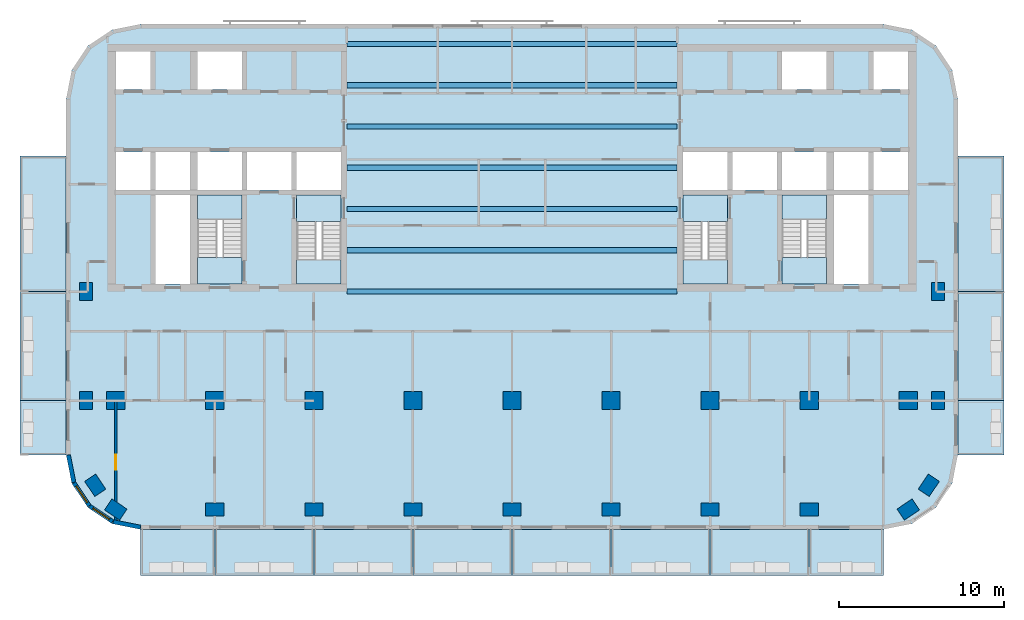
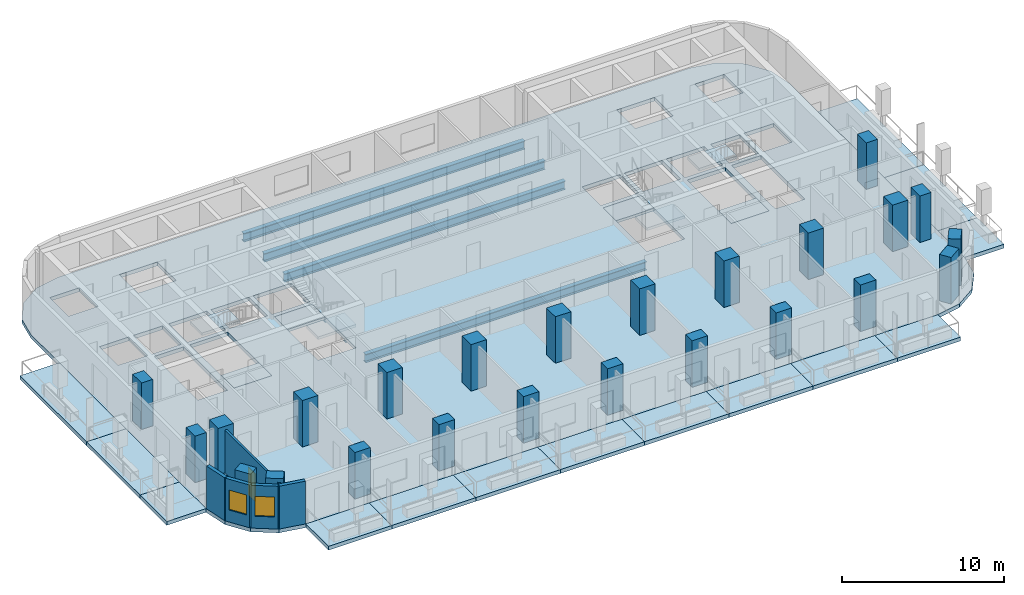
# One storey, part 1 of 11: 24 columns, 23 slabs, 7 beams, 5 walls, 2 windows, 1 door, 3 openings, 4 elements without a shape of their own.
"""IFC4 building model written with IfcOpenShell, lengths in metres."""

import ifcopenshell
import ifcopenshell.guid

model = None  # the IFC model being written
_history = None  # IfcOwnerHistory: only IFC2X3 demands one
_inside = {}  # id of a spatial element -> (the spatial element, [elements in it])
_under = {}  # id of a project, library or spatial element -> (it, [spatial elements below it])
_declared = {}  # id of a project -> (the project, [libraries it declares])
_typed = {}  # id of a type object -> (the type object, [elements of that type])
_made_of = {}  # id of a material, layer set ... -> (it, [elements and type objects made of it])


def new_model(schema):
    """Start an empty IFC model of exactly this schema.

    Asked for "IFC4X3", IfcOpenShell would pick the latest addendum, in which some entities
    have other attributes; the version numbers below select the first issue.
    IFC2X3 requires an IfcOwnerHistory on every rooted entity: one is made here for all.
    """
    global model, _history
    if schema == "IFC4X3":
        model = ifcopenshell.file(schema_version=(4, 3, 0, 0))
    else:
        model = ifcopenshell.file(schema=schema)
    _inside.clear()
    _under.clear()
    _declared.clear()
    _typed.clear()
    _made_of.clear()
    _history = None
    if model.schema == "IFC2X3":
        org = make("IfcOrganization", Name="unknown")
        user = make(
            "IfcPersonAndOrganization",
            ThePerson=make("IfcPerson", FamilyName="unknown"),
            TheOrganization=org,
        )
        app = make(
            "IfcApplication",
            ApplicationDeveloper=org,
            Version="unknown",
            ApplicationFullName="unknown",
            ApplicationIdentifier="unknown",
        )
        _history = make(
            "IfcOwnerHistory",
            OwningUser=user,
            OwningApplication=app,
            ChangeAction="ADDED",
            CreationDate=0,
        )
    return model


def make(cls, **values):
    """One entity of the class cls with the attributes given. An attribute that is None is left unset."""
    return model.create_entity(
        cls, **{name: value for name, value in values.items() if value is not None}
    )


def rooted(cls, **values):
    """An entity with a GlobalId (a new one), such as an element, a storey or a relation."""
    return make(cls, GlobalId=ifcopenshell.guid.new(), OwnerHistory=_history, **values)


def si_unit(unit_type, name, prefix=None):
    """IfcSIUnit, for example si_unit("LENGTHUNIT", "METRE", prefix="MILLI")."""
    return make("IfcSIUnit", UnitType=unit_type, Prefix=prefix, Name=name)


def assignment(units):
    """IfcUnitAssignment: the units of a project."""
    return None if units is None else make("IfcUnitAssignment", Units=units)


def point(xyz):
    """IfcCartesianPoint."""
    return None if xyz is None else make("IfcCartesianPoint", Coordinates=xyz)


def direction(xyz):
    """IfcDirection."""
    return None if xyz is None else make("IfcDirection", DirectionRatios=xyz)


def frame(location, z_axis=None, x_axis=None):
    """IfcAxis2Placement3D, a coordinate frame: its origin and axes. An axis left out is left unset."""
    return make(
        "IfcAxis2Placement3D",
        Location=point(location),
        Axis=direction(z_axis),
        RefDirection=direction(x_axis),
    )


def frame_2d(location, x_axis=None):
    """IfcAxis2Placement2D, a coordinate frame in the plane: its origin and x axis."""
    return make(
        "IfcAxis2Placement2D", Location=point(location), RefDirection=direction(x_axis)
    )


def origin():
    """The frame at (0, 0, 0) with its axes left unset."""
    return frame((0.0, 0.0, 0.0))


def origin_2d():
    """The frame at (0, 0) in the plane with its x axis left unset."""
    return frame_2d((0.0, 0.0))


def place(relative_to, where):
    """IfcLocalPlacement: puts the frame where relative to a parent placement (None: the world)."""
    return make(
        "IfcLocalPlacement", PlacementRelTo=relative_to, RelativePlacement=where
    )


def context(
    kind, dimensions, precision=None, world=None, true_north=None, identifier=None
):
    """IfcGeometricRepresentationContext, for example the 3D "Model" context."""
    return make(
        "IfcGeometricRepresentationContext",
        ContextIdentifier=identifier,
        ContextType=kind,
        CoordinateSpaceDimension=dimensions,
        Precision=precision,
        WorldCoordinateSystem=world,
        TrueNorth=true_north,
    )


def subcontext(parent, identifier, kind, view, scale=None):
    """IfcGeometricRepresentationSubContext, for example "Body" below "Model"."""
    return make(
        "IfcGeometricRepresentationSubContext",
        ContextIdentifier=identifier,
        ContextType=kind,
        ParentContext=parent,
        TargetScale=scale,
        TargetView=view,
    )


def project(units=None, contexts=None):
    """IfcProject with its units and contexts."""
    return rooted(
        "IfcProject",
        Name="project",
        RepresentationContexts=contexts,
        UnitsInContext=assignment(units),
    )


def spatial(cls, under=None, at=None, **own):
    """A site, building, storey or space (cls), placed at a placement, below another one or the project."""
    s = rooted(cls, ObjectPlacement=at, **own)
    if under is not None:
        _under.setdefault(under.id(), (under, []))[1].append(s)
    return s


def polyline(points):
    """IfcPolyline through the points."""
    return make("IfcPolyline", Points=[point(p) for p in points])


def profile(cls, at=None, kind="AREA", **sizes):
    """A parametric profile (cls). Its sizes go by their IFC names, for example OverallWidth=200.0."""
    return make(cls, ProfileType=kind, Position=at, **sizes)


def rectangle(**sizes):
    """IfcRectangleProfileDef."""
    return profile("IfcRectangleProfileDef", **sizes)


def i_section(**sizes):
    """IfcIShapeProfileDef."""
    return profile("IfcIShapeProfileDef", **sizes)


def outline(outer, holes=None, kind="AREA"):
    """IfcArbitraryClosedProfileDef: a profile drawn as a closed curve; with holes, ...WithVoids."""
    if holes is None:
        return make("IfcArbitraryClosedProfileDef", ProfileType=kind, OuterCurve=outer)
    return make(
        "IfcArbitraryProfileDefWithVoids",
        ProfileType=kind,
        OuterCurve=outer,
        InnerCurves=holes,
    )


def extrude(swept, where, along, depth):
    """IfcExtrudedAreaSolid: the profile swept, set in the frame where, extruded along a direction by depth."""
    return make(
        "IfcExtrudedAreaSolid",
        SweptArea=swept,
        Position=where,
        ExtrudedDirection=direction(along),
        Depth=depth,
    )


def shape(context_of_items, identifier, shape_type, items):
    """IfcShapeRepresentation: the items that make up one representation, for example the "Body"."""
    return make(
        "IfcShapeRepresentation",
        ContextOfItems=context_of_items,
        RepresentationIdentifier=identifier,
        RepresentationType=shape_type,
        Items=items,
    )


def material(Name=None, Category=None):
    """IfcMaterial."""
    return make("IfcMaterial", Name=Name, Category=Category)


def layer(
    of_material, thickness, ventilated=None, Name=None, Category=None, Priority=None
):
    """IfcMaterialLayer: one layer of a wall or slab, of a material (None: an air gap)."""
    return make(
        "IfcMaterialLayer",
        Material=of_material,
        LayerThickness=thickness,
        IsVentilated=ventilated,
        Name=Name,
        Category=Category,
        Priority=Priority,
    )


def layer_set(layers, Name=None):
    """IfcMaterialLayerSet."""
    return make("IfcMaterialLayerSet", MaterialLayers=layers, LayerSetName=Name)


def material_profile(
    of_material, cross_section, Name=None, Category=None, Priority=None
):
    """IfcMaterialProfile: a cross section and its material."""
    return make(
        "IfcMaterialProfile",
        Name=Name,
        Material=of_material,
        Profile=cross_section,
        Priority=Priority,
        Category=Category,
    )


def profile_set(profiles, Name=None, composite=None):
    """IfcMaterialProfileSet."""
    return make(
        "IfcMaterialProfileSet",
        Name=Name,
        MaterialProfiles=profiles,
        CompositeProfile=composite,
    )


def made_of(thing, what):
    """Note that an element or type object is made of a material, layer set ...; save() writes the relation."""
    if what is not None:
        _made_of.setdefault(what.id(), (what, []))[1].append(thing)
    return thing


def type_object(cls, material=None, **own):
    """A type object (cls), such as IfcWallType, which elements share."""
    return made_of(rooted(cls, **own), material)


def element(
    cls,
    number,
    at=None,
    inside=None,
    cuts=None,
    type_object=None,
    material=None,
    context=None,
    identifier="Body",
    shape_type=None,
    held_by="IfcProductDefinitionShape",
    body=None,
    shapes=None,
    **own,
):
    """One element of the class cls, such as IfcWall. Its Tag is "e" and its number.

    at: its placement. inside: the storey or other place that contains it. cuts: it is an
    opening in that element (IfcRelVoidsElement). A single representation is given by context,
    identifier, shape_type and body (its items); several are given by shapes. held_by: the class
    of the entity that holds the representations. save() writes the other relations.
    """
    e = rooted(cls, Tag="e%d" % number, ObjectPlacement=at, **own)
    if body is not None:
        shapes = [shape(context, identifier, shape_type, body)]
    if shapes is not None:
        e.Representation = make(held_by, Representations=shapes)
    if inside is not None:
        _inside.setdefault(inside.id(), (inside, []))[1].append(e)
    if cuts is not None:
        rooted(
            "IfcRelVoidsElement", RelatingBuildingElement=cuts, RelatedOpeningElement=e
        )
    if type_object is not None:
        _typed.setdefault(type_object.id(), (type_object, []))[1].append(e)
    return made_of(e, material)


def fill(opening, filler):
    """IfcRelFillsElement: the door or window that sits in an opening."""
    return rooted(
        "IfcRelFillsElement",
        RelatingOpeningElement=opening,
        RelatedBuildingElement=filler,
    )


def aggregate(whole, parts):
    """IfcRelAggregates: a whole, such as a stair, and the parts it consists of."""
    return rooted("IfcRelAggregates", RelatingObject=whole, RelatedObjects=parts)


def save(model, path):
    """Write the relations noted so far, then the file.

    IfcRelAggregates (storeys below a building ...), IfcRelContainedInSpatialStructure (elements
    in a storey), IfcRelDefinesByType, IfcRelAssociatesMaterial and IfcRelDeclares: one each for
    every whole, place, type object, material and project.
    """
    for whole, parts in _under.values():
        aggregate(whole, parts)
    for where, things in _inside.values():
        rooted(
            "IfcRelContainedInSpatialStructure",
            RelatedElements=things,
            RelatingStructure=where,
        )
    for kind, things in _typed.values():
        rooted("IfcRelDefinesByType", RelatedObjects=things, RelatingType=kind)
    for what, things in _made_of.values():
        rooted("IfcRelAssociatesMaterial", RelatedObjects=things, RelatingMaterial=what)
    for by, libraries in _declared.values():
        rooted("IfcRelDeclares", RelatingContext=by, RelatedDefinitions=libraries)
    model.write(path)


model = new_model("IFC4")

# Units and contexts
model_context = context("Model", 3, precision=1e-05, world=origin(), true_north=direction((0.0, 1.0)))
body_context = subcontext(model_context, "Body", "Model", "MODEL_VIEW")
ifc_project = project(units=[si_unit("LENGTHUNIT", "METRE"), si_unit("AREAUNIT", "SQUARE_METRE"), si_unit("VOLUMEUNIT", "CUBIC_METRE"), si_unit("PLANEANGLEUNIT", "RADIAN"), si_unit("MASSUNIT", "GRAM", prefix="KILO")], contexts=[model_context])

# Site, building, storey
site_placement = place(None, origin())
site = spatial("IfcSite", under=ifc_project, at=site_placement, CompositionType="ELEMENT")
building_placement = place(site_placement, origin())
building = spatial("IfcBuilding", under=site, at=building_placement, Name="Torana Hotel and Residences", CompositionType="ELEMENT")
storey_placement = place(building_placement, frame((0.0, 0.0, 236.10009765625)))
storey = spatial("IfcBuildingStorey", under=building, at=storey_placement, Name="L62", CompositionType="ELEMENT", Elevation=236.10009765625)

# Columns
ifc_material_1 = material(Name="Concrete C60/75", Category="concrete")
ifc_material_profile_1 = material_profile(ifc_material_1, rectangle(XDim=1.10009765625, YDim=1.10009765625, at=origin_2d()), Name="RC 1100x1100")
ifc_profile_set_1 = profile_set([ifc_material_profile_1], Name="Concrete C60/75")
column_type_1 = type_object("IfcColumnType", Name="COLUMN RC 1100x1100 C60/75", PredefinedType="COLUMN", material=ifc_profile_set_1)
for number, where, z_axis, x_axis, name in (
    (1, (-24.0, -21.60009765625, 0.0), (0.0, 0.0, 1.0), (1.0, 0.0, 0.0), "Column L62"),
    (2, (-18.0, -21.60009765625, 0.0), (0.0, 0.0, 1.0), (1.0, 0.0, 0.0), "Column L62"),
    (3, (-12.0, -21.60009765625, 0.0), (0.0, 0.0, 1.0), (1.0, 0.0, 0.0), "Column L62"),
    (4, (-6.0, -21.60009765625, 0.0), (0.0, 0.0, 1.0), (1.0, 0.0, 0.0), "Column L62"),
    (5, (0.0, -21.60009765625, 0.0), (0.0, 0.0, 1.0), (1.0, 0.0, 0.0), "Column L62"),
    (6, (6.0, -21.60009765625, 0.0), (0.0, 0.0, 1.0), (1.0, 0.0, 0.0), "Column L62"),
    (7, (12.0, -21.60009765625, 0.0), (0.0, 0.0, 1.0), (1.0, 0.0, 0.0), "Column L62"),
    (8, (18.0, -21.60009765625, 0.0), (0.0, 0.0, 1.0), (1.0, 0.0, 0.0), "Column L62"),
    (9, (24.0, -21.60009765625, 0.0), (0.0, 0.0, 1.0), (1.0, 0.0, 0.0), "Column L62"),
):
    element("IfcColumn", number, at=place(storey_placement, frame(where, z_axis=z_axis, x_axis=x_axis)), inside=storey, type_object=column_type_1, Name=name, PredefinedType="COLUMN", context=body_context, shape_type="SweptSolid", body=[
        extrude(rectangle(XDim=1.10009765625, YDim=1.10009765625, at=origin_2d()), origin(), (0.0, 0.0, 1.0), 3.5),
    ])
ifc_material_2 = material(Name="Concrete C60/75", Category="concrete")
ifc_material_profile_2 = material_profile(ifc_material_2, rectangle(XDim=1.10009765625, YDim=0.800048828125, at=origin_2d()), Name="RC 1100x800")
ifc_profile_set_2 = profile_set([ifc_material_profile_2], Name="Concrete C60/75")
column_type_2 = type_object("IfcColumnType", Name="COLUMN RC 1100x800 C60/75", PredefinedType="COLUMN", material=ifc_profile_set_2)
for number, where, z_axis, x_axis, name in (
    (10, (-25.800048828125, -21.60009765625, 0.0), (0.0, 0.0, 1.0), (0.0, 1.0, 0.0), "Column L62"),
    (11, (-25.800048828125, -15.0, 0.0), (0.0, 0.0, 1.0), (0.0, 1.0, 0.0), "Column L62"),
    (12, (-25.243896484375, -26.73291015625, 0.0), (0.0, 0.0, 1.0), (-0.555584744817, 0.831459915646, 0.0), "Column L62"),
    (13, (-24.0, -28.199951171875, 0.0), (0.0, 0.0, 1.0), (-0.831459915646, 0.555584744817, 0.0), "Column L62"),
    (14, (-18.0, -28.199951171875, 0.0), (0.0, 0.0, 1.0), (1.0, 0.0, 0.0), "Column L62"),
    (15, (-12.0, -28.199951171875, 0.0), (0.0, 0.0, 1.0), (1.0, 0.0, 0.0), "Column L62"),
    (16, (-6.0, -28.199951171875, 0.0), (0.0, 0.0, 1.0), (1.0, 0.0, 0.0), "Column L62"),
    (17, (0.0, -28.199951171875, 0.0), (0.0, 0.0, 1.0), (1.0, 0.0, 0.0), "Column L62"),
    (18, (6.0, -28.199951171875, 0.0), (0.0, 0.0, 1.0), (1.0, 0.0, 0.0), "Column L62"),
    (19, (12.0, -28.199951171875, 0.0), (0.0, 0.0, 1.0), (1.0, 0.0, 0.0), "Column L62"),
    (20, (18.0, -28.199951171875, 0.0), (0.0, 0.0, 1.0), (1.0, 0.0, 0.0), "Column L62"),
    (21, (24.0, -28.199951171875, 0.0), (0.0, 0.0, 1.0), (0.831459915646, 0.555584744817, 0.0), "Column L62"),
    (22, (25.243896484375, -26.73291015625, 0.0), (0.0, 0.0, 1.0), (0.555584744817, 0.831459915646, 0.0), "Column L62"),
    (23, (25.800048828125, -21.60009765625, 0.0), (0.0, 0.0, 1.0), (0.0, 1.0, 0.0), "Column L62"),
    (24, (25.800048828125, -15.0, 0.0), (0.0, 0.0, 1.0), (0.0, 1.0, 0.0), "Column L62"),
):
    element("IfcColumn", number, at=place(storey_placement, frame(where, z_axis=z_axis, x_axis=x_axis)), inside=storey, type_object=column_type_2, Name=name, PredefinedType="COLUMN", context=body_context, shape_type="SweptSolid", body=[
        extrude(rectangle(XDim=1.10009765625, YDim=0.800048828125, at=origin_2d()), origin(), (0.0, 0.0, 1.0), 3.5),
    ])

# Beams
ifc_material_3 = material(Name="Steel S355", Category="steel")
ifc_material_profile_3 = material_profile(ifc_material_3, i_section(OverallWidth=0.311279296875, OverallDepth=0.6357421875, WebThickness=0.018310546875, FlangeThickness=0.031494140625, FilletRadius=0.0166015625, at=origin_2d()), Name="610x305x238 UB")
ifc_profile_set_3 = profile_set([ifc_material_profile_3], Name="Steel S355")
beam_type = type_object("IfcBeamType", Name="STEEL GIRDER 610x305x238 UB", PredefinedType="BEAM", material=ifc_profile_set_3)
for number, where, z_axis, x_axis, name in (
    (25, (-10.0, -15.0, -0.597900390625), (1.0, 0.0, 0.0), (0.0, 1.0, 0.0), "Floor girder"),
    (26, (-10.0, -12.5, -0.597900390625), (1.0, 0.0, 0.0), (0.0, 1.0, 0.0), "Floor girder"),
    (27, (-10.0, -10.0, -0.597900390625), (1.0, 0.0, 0.0), (0.0, 1.0, 0.0), "Floor girder"),
    (28, (-10.0, -7.5, -0.597900390625), (1.0, 0.0, 0.0), (0.0, 1.0, 0.0), "Floor girder"),
    (29, (-10.0, -5.0, -0.597900390625), (1.0, 0.0, 0.0), (0.0, 1.0, 0.0), "Floor girder"),
    (30, (-10.0, -2.5, -0.597900390625), (1.0, 0.0, 0.0), (0.0, 1.0, 0.0), "Floor girder"),
    (31, (-10.0, 0.0, -0.597900390625), (1.0, 0.0, 0.0), (0.0, 1.0, 0.0), "Floor girder"),
):
    element("IfcBeam", number, at=place(storey_placement, frame(where, z_axis=z_axis, x_axis=x_axis)), inside=storey, type_object=beam_type, Name=name, PredefinedType="BEAM", context=body_context, shape_type="SweptSolid", body=[
        extrude(i_section(OverallWidth=0.311279296875, OverallDepth=0.6357421875, WebThickness=0.018310546875, FlangeThickness=0.031494140625, FilletRadius=0.0166015625, at=origin_2d()), origin(), (0.0, 0.0, 1.0), 20.0),
    ])

# Slabs
ifc_material_4 = material(Name="Concrete C40/50", Category="concrete")
ifc_layer_1 = layer(ifc_material_4, 0.280029296875)
ifc_layer_set_1 = layer_set([ifc_layer_1], Name="BAL1 BALCONY SLAB 280")
slab_type_1 = type_object("IfcSlabType", Name="BAL1 BALCONY SLAB 280", PredefinedType="USERDEFINED", material=ifc_layer_set_1)
slab_1_placement = place(storey_placement, frame((0.0, 0.0, -0.280029296875)))
element("IfcSlab", 32, at=slab_1_placement, inside=storey, type_object=slab_type_1, Name="Balcony 01", ObjectType="BALCONY", PredefinedType="USERDEFINED", context=body_context, shape_type="SweptSolid", body=[
    extrude(outline(polyline([(-22.5, -32.199951171875), (-18.0, -32.199951171875), (-18.0, -29.39990234375), (-22.5, -29.39990234375), (-22.5, -32.199951171875)])), origin(), (0.0, 0.0, 1.0), 0.280029296875),
])
slab_2_placement = place(storey_placement, frame((0.0, 0.0, -0.280029296875)))
element("IfcSlab", 33, at=slab_2_placement, inside=storey, type_object=slab_type_1, Name="Balcony 02", ObjectType="BALCONY", PredefinedType="USERDEFINED", context=body_context, shape_type="SweptSolid", body=[
    extrude(outline(polyline([(-18.0, -32.199951171875), (-12.0, -32.199951171875), (-12.0, -29.39990234375), (-18.0, -29.39990234375), (-18.0, -32.199951171875)])), origin(), (0.0, 0.0, 1.0), 0.280029296875),
])
slab_3_placement = place(storey_placement, frame((0.0, 0.0, -0.280029296875)))
element("IfcSlab", 34, at=slab_3_placement, inside=storey, type_object=slab_type_1, Name="Balcony 03", ObjectType="BALCONY", PredefinedType="USERDEFINED", context=body_context, shape_type="SweptSolid", body=[
    extrude(outline(polyline([(-12.0, -32.199951171875), (-6.0, -32.199951171875), (-6.0, -29.39990234375), (-12.0, -29.39990234375), (-12.0, -32.199951171875)])), origin(), (0.0, 0.0, 1.0), 0.280029296875),
])
slab_4_placement = place(storey_placement, frame((0.0, 0.0, -0.280029296875)))
element("IfcSlab", 35, at=slab_4_placement, inside=storey, type_object=slab_type_1, Name="Balcony 04", ObjectType="BALCONY", PredefinedType="USERDEFINED", context=body_context, shape_type="SweptSolid", body=[
    extrude(outline(polyline([(-6.0, -32.199951171875), (0.0, -32.199951171875), (0.0, -29.39990234375), (-6.0, -29.39990234375), (-6.0, -32.199951171875)])), origin(), (0.0, 0.0, 1.0), 0.280029296875),
])
slab_5_placement = place(storey_placement, frame((0.0, 0.0, -0.280029296875)))
element("IfcSlab", 36, at=slab_5_placement, inside=storey, type_object=slab_type_1, Name="Balcony 05", ObjectType="BALCONY", PredefinedType="USERDEFINED", context=body_context, shape_type="SweptSolid", body=[
    extrude(outline(polyline([(0.0, -32.199951171875), (6.0, -32.199951171875), (6.0, -29.39990234375), (0.0, -29.39990234375), (0.0, -32.199951171875)])), origin(), (0.0, 0.0, 1.0), 0.280029296875),
])
slab_6_placement = place(storey_placement, frame((0.0, 0.0, -0.280029296875)))
element("IfcSlab", 37, at=slab_6_placement, inside=storey, type_object=slab_type_1, Name="Balcony 06", ObjectType="BALCONY", PredefinedType="USERDEFINED", context=body_context, shape_type="SweptSolid", body=[
    extrude(outline(polyline([(6.0, -32.199951171875), (12.0, -32.199951171875), (12.0, -29.39990234375), (6.0, -29.39990234375), (6.0, -32.199951171875)])), origin(), (0.0, 0.0, 1.0), 0.280029296875),
])
slab_7_placement = place(storey_placement, frame((0.0, 0.0, -0.280029296875)))
element("IfcSlab", 38, at=slab_7_placement, inside=storey, type_object=slab_type_1, Name="Balcony 07", ObjectType="BALCONY", PredefinedType="USERDEFINED", context=body_context, shape_type="SweptSolid", body=[
    extrude(outline(polyline([(12.0, -32.199951171875), (18.0, -32.199951171875), (18.0, -29.39990234375), (12.0, -29.39990234375), (12.0, -32.199951171875)])), origin(), (0.0, 0.0, 1.0), 0.280029296875),
])
slab_8_placement = place(storey_placement, frame((0.0, 0.0, -0.280029296875)))
element("IfcSlab", 39, at=slab_8_placement, inside=storey, type_object=slab_type_1, Name="Balcony 08", ObjectType="BALCONY", PredefinedType="USERDEFINED", context=body_context, shape_type="SweptSolid", body=[
    extrude(outline(polyline([(18.0, -32.199951171875), (22.5, -32.199951171875), (22.5, -29.39990234375), (18.0, -29.39990234375), (18.0, -32.199951171875)])), origin(), (0.0, 0.0, 1.0), 0.280029296875),
])
slab_9_placement = place(storey_placement, frame((0.0, 0.0, -0.280029296875)))
element("IfcSlab", 40, at=slab_9_placement, inside=storey, type_object=slab_type_1, Name="Balcony 09", ObjectType="BALCONY", PredefinedType="USERDEFINED", context=body_context, shape_type="SweptSolid", body=[
    extrude(outline(polyline([(-29.800048828125, -24.89990234375), (-27.0, -24.89990234375), (-27.0, -21.60009765625), (-29.800048828125, -21.60009765625), (-29.800048828125, -24.89990234375)])), origin(), (0.0, 0.0, 1.0), 0.280029296875),
])
slab_10_placement = place(storey_placement, frame((0.0, 0.0, -0.280029296875)))
element("IfcSlab", 41, at=slab_10_placement, inside=storey, type_object=slab_type_1, Name="Balcony 10", ObjectType="BALCONY", PredefinedType="USERDEFINED", context=body_context, shape_type="SweptSolid", body=[
    extrude(outline(polyline([(-29.800048828125, -21.60009765625), (-27.0, -21.60009765625), (-27.0, -15.0), (-29.800048828125, -15.0), (-29.800048828125, -21.60009765625)])), origin(), (0.0, 0.0, 1.0), 0.280029296875),
])
slab_11_placement = place(storey_placement, frame((0.0, 0.0, -0.280029296875)))
element("IfcSlab", 42, at=slab_11_placement, inside=storey, type_object=slab_type_1, Name="Balcony 11", ObjectType="BALCONY", PredefinedType="USERDEFINED", context=body_context, shape_type="SweptSolid", body=[
    extrude(outline(polyline([(-29.800048828125, -15.0), (-27.0, -15.0), (-27.0, -6.800048828125), (-29.800048828125, -6.800048828125), (-29.800048828125, -15.0)])), origin(), (0.0, 0.0, 1.0), 0.280029296875),
])
slab_12_placement = place(storey_placement, frame((0.0, 0.0, -0.280029296875)))
element("IfcSlab", 43, at=slab_12_placement, inside=storey, type_object=slab_type_1, Name="Balcony 12", ObjectType="BALCONY", PredefinedType="USERDEFINED", context=body_context, shape_type="SweptSolid", body=[
    extrude(outline(polyline([(27.0, -24.89990234375), (29.800048828125, -24.89990234375), (29.800048828125, -21.60009765625), (27.0, -21.60009765625), (27.0, -24.89990234375)])), origin(), (0.0, 0.0, 1.0), 0.280029296875),
])
slab_13_placement = place(storey_placement, frame((0.0, 0.0, -0.280029296875)))
element("IfcSlab", 44, at=slab_13_placement, inside=storey, type_object=slab_type_1, Name="Balcony 13", ObjectType="BALCONY", PredefinedType="USERDEFINED", context=body_context, shape_type="SweptSolid", body=[
    extrude(outline(polyline([(27.0, -21.60009765625), (29.800048828125, -21.60009765625), (29.800048828125, -15.0), (27.0, -15.0), (27.0, -21.60009765625)])), origin(), (0.0, 0.0, 1.0), 0.280029296875),
])
slab_14_placement = place(storey_placement, frame((0.0, 0.0, -0.280029296875)))
element("IfcSlab", 45, at=slab_14_placement, inside=storey, type_object=slab_type_1, Name="Balcony 14", ObjectType="BALCONY", PredefinedType="USERDEFINED", context=body_context, shape_type="SweptSolid", body=[
    extrude(outline(polyline([(27.0, -15.0), (29.800048828125, -15.0), (29.800048828125, -6.800048828125), (27.0, -6.800048828125), (27.0, -15.0)])), origin(), (0.0, 0.0, 1.0), 0.280029296875),
])
ifc_material_5 = material(Name="Concrete C40/50", Category="concrete")
ifc_layer_2 = layer(ifc_material_5, 0.280029296875)
ifc_layer_set_2 = layer_set([ifc_layer_2], Name="FLOOR SLAB PT 280")
slab_type_2 = type_object("IfcSlabType", Name="FLOOR SLAB PT 280", PredefinedType="FLOOR", material=ifc_layer_set_2)
slab_15_placement = place(storey_placement, frame((0.0, 0.0, -0.280029296875)))
element("IfcSlab", 46, at=slab_15_placement, inside=storey, type_object=slab_type_2, Name="Floor slab", PredefinedType="FLOOR", context=body_context, shape_type="SweptSolid", body=[
    extrude(outline(polyline([(27.0, -3.300048828125), (26.657470703125, -1.577880859375), (25.681884765625, -0.117919921875), (24.22216796875, 0.857421875), (22.5, 1.199951171875), (-22.5, 1.199951171875), (-24.22216796875, 0.857421875), (-25.681884765625, -0.117919921875), (-26.657470703125, -1.577880859375), (-27.0, -3.300048828125), (-27.0, -24.89990234375), (-26.657470703125, -26.6220703125), (-25.681884765625, -28.08203125), (-24.22216796875, -29.0576171875), (-22.5, -29.39990234375), (22.5, -29.39990234375), (24.22216796875, -29.0576171875), (25.681884765625, -28.08203125), (26.657470703125, -26.6220703125), (27.0, -24.89990234375), (27.0, -3.300048828125)]), holes=[polyline([(-13.050048828125, -14.550048828125), (-10.35009765625, -14.550048828125), (-10.35009765625, -9.14990234375), (-13.050048828125, -9.14990234375), (-13.050048828125, -14.550048828125)]), polyline([(-19.050048828125, -14.550048828125), (-16.35009765625, -14.550048828125), (-16.35009765625, -9.14990234375), (-19.050048828125, -9.14990234375), (-19.050048828125, -14.550048828125)]), polyline([(-19.050048828125, -2.75), (-16.35009765625, -2.75), (-16.35009765625, -0.449951171875), (-19.050048828125, -0.449951171875), (-19.050048828125, -2.75)]), polyline([(-21.60009765625, -8.85009765625), (-19.5, -8.85009765625), (-19.5, -6.550048828125), (-21.60009765625, -6.550048828125), (-21.60009765625, -8.85009765625)]), polyline([(-24.0, -2.75), (-21.89990234375, -2.75), (-21.89990234375, -0.449951171875), (-24.0, -0.449951171875), (-24.0, -2.75)]), polyline([(-24.0, -8.85009765625), (-21.89990234375, -8.85009765625), (-21.89990234375, -6.550048828125), (-24.0, -6.550048828125), (-24.0, -8.85009765625)]), polyline([(-13.050048828125, -8.85009765625), (-10.35009765625, -8.85009765625), (-10.35009765625, -6.550048828125), (-13.050048828125, -6.550048828125), (-13.050048828125, -8.85009765625)]), polyline([(-16.050048828125, -8.85009765625), (-13.35009765625, -8.85009765625), (-13.35009765625, -6.550048828125), (-16.050048828125, -6.550048828125), (-16.050048828125, -8.85009765625)]), polyline([(-19.050048828125, -8.85009765625), (-16.35009765625, -8.85009765625), (-16.35009765625, -6.550048828125), (-19.050048828125, -6.550048828125), (-19.050048828125, -8.85009765625)]), polyline([(-21.60009765625, -14.550048828125), (-19.5, -14.550048828125), (-19.5, -9.14990234375), (-21.60009765625, -9.14990234375), (-21.60009765625, -14.550048828125)]), polyline([(10.35009765625, -14.550048828125), (13.050048828125, -14.550048828125), (13.050048828125, -9.14990234375), (10.35009765625, -9.14990234375), (10.35009765625, -14.550048828125)]), polyline([(16.35009765625, -14.550048828125), (19.050048828125, -14.550048828125), (19.050048828125, -9.14990234375), (16.35009765625, -9.14990234375), (16.35009765625, -14.550048828125)]), polyline([(16.35009765625, -2.75), (19.050048828125, -2.75), (19.050048828125, -0.449951171875), (16.35009765625, -0.449951171875), (16.35009765625, -2.75)]), polyline([(19.5, -8.85009765625), (21.60009765625, -8.85009765625), (21.60009765625, -6.550048828125), (19.5, -6.550048828125), (19.5, -8.85009765625)]), polyline([(21.89990234375, -2.75), (24.0, -2.75), (24.0, -0.449951171875), (21.89990234375, -0.449951171875), (21.89990234375, -2.75)]), polyline([(21.89990234375, -8.85009765625), (24.0, -8.85009765625), (24.0, -6.550048828125), (21.89990234375, -6.550048828125), (21.89990234375, -8.85009765625)]), polyline([(10.35009765625, -8.85009765625), (13.050048828125, -8.85009765625), (13.050048828125, -6.550048828125), (10.35009765625, -6.550048828125), (10.35009765625, -8.85009765625)]), polyline([(13.35009765625, -8.85009765625), (16.050048828125, -8.85009765625), (16.050048828125, -6.550048828125), (13.35009765625, -6.550048828125), (13.35009765625, -8.85009765625)]), polyline([(16.35009765625, -8.85009765625), (19.050048828125, -8.85009765625), (19.050048828125, -6.550048828125), (16.35009765625, -6.550048828125), (16.35009765625, -8.85009765625)]), polyline([(19.5, -14.550048828125), (21.60009765625, -14.550048828125), (21.60009765625, -9.14990234375), (19.5, -9.14990234375), (19.5, -14.550048828125)])]), origin(), (0.0, 0.0, 1.0), 0.280029296875),
])

# Stair, slabs
ifc_material_6 = material(Name="Concrete C40/50 precast", Category="concrete")
stair_type_1 = type_object("IfcStairType", Name="STAIR ST1 HALF TURN 1200", PredefinedType="HALF_TURN_STAIR", material=ifc_material_6)
stair_1_placement = place(storey_placement, origin())
stair_1 = element("IfcStair", 47, at=stair_1_placement, inside=storey, type_object=stair_type_1, Name="Stair ST1 L62", PredefinedType="HALF_TURN_STAIR")
ifc_material_7 = material(Name="Concrete C40/50 precast", Category="concrete")
ifc_layer_3 = layer(ifc_material_7, 0.199951171875)
ifc_layer_set_3 = layer_set([ifc_layer_3], Name="STAIR LANDING 200")
slab_type_3 = type_object("IfcSlabType", Name="STAIR LANDING 200", PredefinedType="LANDING", material=ifc_layer_set_3)
slab_16_placement = place(storey_placement, frame((0.0, 0.0, 1.5498046875)))
slab_16 = element("IfcSlab", 48, at=slab_16_placement, type_object=slab_type_3, Name="ST1 landing 1", PredefinedType="LANDING", context=body_context, shape_type="SweptSolid", body=[
    extrude(outline(polyline([(-13.050048828125, -14.550048828125), (-10.35009765625, -14.550048828125), (-10.35009765625, -13.090087890625), (-13.050048828125, -13.090087890625), (-13.050048828125, -14.550048828125)])), origin(), (0.0, 0.0, 1.0), 0.2001953125),
])
slab_17_placement = place(storey_placement, frame((0.0, 0.0, -0.2001953125)))
slab_17 = element("IfcSlab", 49, at=slab_17_placement, type_object=slab_type_3, Name="ST1 landing 2", PredefinedType="LANDING", context=body_context, shape_type="SweptSolid", body=[
    extrude(outline(polyline([(-13.050048828125, -10.75), (-10.35009765625, -10.75), (-10.35009765625, -9.14990234375), (-13.050048828125, -9.14990234375), (-13.050048828125, -10.75)])), origin(), (0.0, 0.0, 1.0), 0.2001953125),
])
aggregate(stair_1, [slab_16, slab_17])

ifc_material_8 = material(Name="Concrete C40/50 precast", Category="concrete")
stair_type_2 = type_object("IfcStairType", Name="STAIR ST2 HALF TURN 1200", PredefinedType="HALF_TURN_STAIR", material=ifc_material_8)
stair_2_placement = place(storey_placement, origin())
stair_2 = element("IfcStair", 50, at=stair_2_placement, inside=storey, type_object=stair_type_2, Name="Stair ST2 L62", PredefinedType="HALF_TURN_STAIR")
slab_18_placement = place(storey_placement, frame((0.0, 0.0, 1.5498046875)))
slab_18 = element("IfcSlab", 51, at=slab_18_placement, type_object=slab_type_3, Name="ST2 landing 1", PredefinedType="LANDING", context=body_context, shape_type="SweptSolid", body=[
    extrude(outline(polyline([(-19.050048828125, -10.610107421875), (-16.35009765625, -10.610107421875), (-16.35009765625, -9.14990234375), (-19.050048828125, -9.14990234375), (-19.050048828125, -10.610107421875)])), origin(), (0.0, 0.0, 1.0), 0.2001953125),
])
slab_19_placement = place(storey_placement, frame((0.0, 0.0, -0.2001953125)))
slab_19 = element("IfcSlab", 52, at=slab_19_placement, type_object=slab_type_3, Name="ST2 landing 2", PredefinedType="LANDING", context=body_context, shape_type="SweptSolid", body=[
    extrude(outline(polyline([(-19.050048828125, -14.550048828125), (-16.35009765625, -14.550048828125), (-16.35009765625, -12.949951171875), (-19.050048828125, -12.949951171875), (-19.050048828125, -14.550048828125)])), origin(), (0.0, 0.0, 1.0), 0.2001953125),
])
aggregate(stair_2, [slab_18, slab_19])

ifc_material_9 = material(Name="Concrete C40/50 precast", Category="concrete")
stair_type_3 = type_object("IfcStairType", Name="STAIR ST3 HALF TURN 1200", PredefinedType="HALF_TURN_STAIR", material=ifc_material_9)
stair_3_placement = place(storey_placement, origin())
stair_3 = element("IfcStair", 53, at=stair_3_placement, inside=storey, type_object=stair_type_3, Name="Stair ST3 L62", PredefinedType="HALF_TURN_STAIR")
slab_20_placement = place(storey_placement, frame((0.0, 0.0, 1.5498046875)))
slab_20 = element("IfcSlab", 54, at=slab_20_placement, type_object=slab_type_3, Name="ST3 landing 1", PredefinedType="LANDING", context=body_context, shape_type="SweptSolid", body=[
    extrude(outline(polyline([(10.35009765625, -14.550048828125), (13.050048828125, -14.550048828125), (13.050048828125, -13.090087890625), (10.35009765625, -13.090087890625), (10.35009765625, -14.550048828125)])), origin(), (0.0, 0.0, 1.0), 0.2001953125),
])
slab_21_placement = place(storey_placement, frame((0.0, 0.0, -0.2001953125)))
slab_21 = element("IfcSlab", 55, at=slab_21_placement, type_object=slab_type_3, Name="ST3 landing 2", PredefinedType="LANDING", context=body_context, shape_type="SweptSolid", body=[
    extrude(outline(polyline([(10.35009765625, -10.75), (13.050048828125, -10.75), (13.050048828125, -9.14990234375), (10.35009765625, -9.14990234375), (10.35009765625, -10.75)])), origin(), (0.0, 0.0, 1.0), 0.2001953125),
])
aggregate(stair_3, [slab_20, slab_21])

ifc_material_10 = material(Name="Concrete C40/50 precast", Category="concrete")
stair_type_4 = type_object("IfcStairType", Name="STAIR ST4 HALF TURN 1200", PredefinedType="HALF_TURN_STAIR", material=ifc_material_10)
stair_4_placement = place(storey_placement, origin())
stair_4 = element("IfcStair", 56, at=stair_4_placement, inside=storey, type_object=stair_type_4, Name="Stair ST4 L62", PredefinedType="HALF_TURN_STAIR")
slab_22_placement = place(storey_placement, frame((0.0, 0.0, 1.5498046875)))
slab_22 = element("IfcSlab", 57, at=slab_22_placement, type_object=slab_type_3, Name="ST4 landing 1", PredefinedType="LANDING", context=body_context, shape_type="SweptSolid", body=[
    extrude(outline(polyline([(16.35009765625, -10.610107421875), (19.050048828125, -10.610107421875), (19.050048828125, -9.14990234375), (16.35009765625, -9.14990234375), (16.35009765625, -10.610107421875)])), origin(), (0.0, 0.0, 1.0), 0.2001953125),
])
slab_23_placement = place(storey_placement, frame((0.0, 0.0, -0.2001953125)))
slab_23 = element("IfcSlab", 58, at=slab_23_placement, type_object=slab_type_3, Name="ST4 landing 2", PredefinedType="LANDING", context=body_context, shape_type="SweptSolid", body=[
    extrude(outline(polyline([(16.35009765625, -14.550048828125), (19.050048828125, -14.550048828125), (19.050048828125, -12.949951171875), (16.35009765625, -12.949951171875), (16.35009765625, -14.550048828125)])), origin(), (0.0, 0.0, 1.0), 0.2001953125),
])
aggregate(stair_4, [slab_22, slab_23])

# Wall
ifc_material_11 = material(Name="Black aluminium composite panel", Category="aluminium")
ifc_layer_4 = layer(ifc_material_11, 0.00390625, Name="Cladding", Category="cladding")
ifc_material_12 = material(Name="Ventilated air cavity")
ifc_layer_5 = layer(ifc_material_12, 0.0400390625, Name="Ventilated cavity", Category="cavity")
ifc_material_13 = material(Name="Mineral wool insulation")
ifc_layer_6 = layer(ifc_material_13, 0.090087890625, Name="Insulation", Category="insulation")
ifc_material_14 = material(Name="Steel S280GD", Category="steel")
ifc_layer_7 = layer(ifc_material_14, 0.092041015625, Name="Steel stud frame", Category="structure")
ifc_material_15 = material(Name="Fire rated plasterboard")
ifc_layer_8 = layer(ifc_material_15, 0.011962890625, Name="Inner board", Category="finish")
ifc_layer_9 = layer(ifc_material_15, 0.011962890625, Name="Second board", Category="finish")
ifc_layer_set_4 = layer_set([ifc_layer_4, ifc_layer_5, ifc_layer_6, ifc_layer_7, ifc_layer_8, ifc_layer_9], Name="EW1 EXTERNAL WALL BLACK METAL CLAD 250")
wall_type_1 = type_object("IfcWallType", Name="EW1 EXTERNAL WALL BLACK METAL CLAD 250", PredefinedType="SOLIDWALL", material=ifc_layer_set_4)
wall_1_placement = place(storey_placement, frame((-26.87255859375, -24.89990234375, 0.0), z_axis=(0.0, 0.0, 1.0), x_axis=(0.195026884138, -0.980797896849, 0.0)))
element("IfcWall", 59, at=wall_1_placement, inside=storey, type_object=wall_type_1, Name="External wall L62 e0.10", PredefinedType="SOLIDWALL", context=body_context, shape_type="SweptSolid", body=[
    extrude(rectangle(XDim=1.68115234375, YDim=0.25, at=frame_2d((0.840576171875, 0.0))), origin(), (0.0, 0.0, 1.0), 3.219970703125),
])

# Wall, opening, window
wall_2_placement = place(storey_placement, frame((-26.52587890625, -26.593994140625, 0.0), z_axis=(0.0, 0.0, 1.0), x_axis=(0.55555029066, -0.831482937015, 0.0)))
wall_2 = element("IfcWall", 60, at=wall_2_placement, inside=storey, type_object=wall_type_1, Name="External wall L62 e0.11", PredefinedType="SOLIDWALL", context=body_context, shape_type="SweptSolid", body=[
    extrude(rectangle(XDim=1.65625, YDim=0.25, at=frame_2d((0.828125, 0.0))), origin(), (0.0, 0.0, 1.0), 3.219970703125),
])
opening_1_placement = place(wall_2_placement, frame((0.228271484375, 0.0, 0.89990234375)))
opening_1 = element("IfcOpeningElement", 61, at=opening_1_placement, cuts=wall_2, Name="Opening W5", PredefinedType="OPENING", context=body_context, shape_type="SweptSolid", body=[
    extrude(rectangle(XDim=1.199951171875, YDim=1.5, at=frame_2d((0.60009765625, 0.75))), frame((0.0, 0.135009765625, 0.0), z_axis=(0.0, -1.0, 0.0), x_axis=(1.0, 0.0, 0.0)), (0.0, 0.0, 1.0), 0.27001953125),
])
ifc_material_16 = material(Name="Dark glass in black aluminium frame", Category="aluminium")
window_type = type_object("IfcWindowType", Name="W5 CORNER FACET WINDOW 1200x1500", PartitioningType="SINGLE_PANEL", PredefinedType="WINDOW", material=ifc_material_16)
window_1_placement = place(opening_1_placement, origin())
window_1 = element("IfcWindow", 62, at=window_1_placement, inside=storey, type_object=window_type, Name="Window L62 e0.11", OverallHeight=1.5, OverallWidth=1.199951171875, PartitioningType="SINGLE_PANEL", PredefinedType="WINDOW", context=body_context, shape_type="SweptSolid", body=[
    extrude(rectangle(XDim=1.199951171875, YDim=1.5, at=frame_2d((0.60009765625, 0.75))), frame((0.0, 0.030029296875, 0.0), z_axis=(0.0, -1.0, 0.0), x_axis=(1.0, 0.0, 0.0)), (0.0, 0.0, 1.0), 0.06005859375),
])
fill(opening_1, window_1)

wall_3_placement = place(storey_placement, frame((-25.5712890625, -28.005615234375, 0.0), z_axis=(0.0, 0.0, 1.0), x_axis=(0.831482937015, -0.55555029066, 0.0)))
wall_3 = element("IfcWall", 63, at=wall_3_placement, inside=storey, type_object=wall_type_1, Name="External wall L62 e0.12", PredefinedType="SOLIDWALL", context=body_context, shape_type="SweptSolid", body=[
    extrude(rectangle(XDim=1.65625, YDim=0.25, at=frame_2d((0.828125, 0.0))), origin(), (0.0, 0.0, 1.0), 3.219970703125),
])
opening_2_placement = place(wall_3_placement, frame((0.228271484375, 0.0, 0.89990234375)))
opening_2 = element("IfcOpeningElement", 64, at=opening_2_placement, cuts=wall_3, Name="Opening W5", PredefinedType="OPENING", context=body_context, shape_type="SweptSolid", body=[
    extrude(rectangle(XDim=1.199951171875, YDim=1.5, at=frame_2d((0.60009765625, 0.75))), frame((0.0, 0.135009765625, 0.0), z_axis=(0.0, -1.0, 0.0), x_axis=(1.0, 0.0, 0.0)), (0.0, 0.0, 1.0), 0.27001953125),
])
window_2_placement = place(opening_2_placement, origin())
window_2 = element("IfcWindow", 65, at=window_2_placement, inside=storey, type_object=window_type, Name="Window L62 e0.12", OverallHeight=1.5, OverallWidth=1.199951171875, PartitioningType="SINGLE_PANEL", PredefinedType="WINDOW", context=body_context, shape_type="SweptSolid", body=[
    extrude(rectangle(XDim=1.199951171875, YDim=1.5, at=frame_2d((0.60009765625, 0.75))), frame((0.0, 0.030029296875, 0.0), z_axis=(0.0, -1.0, 0.0), x_axis=(1.0, 0.0, 0.0)), (0.0, 0.0, 1.0), 0.06005859375),
])
fill(opening_2, window_2)

# Wall
wall_4_placement = place(storey_placement, frame((-24.14892578125, -28.944580078125, 0.0), z_axis=(0.0, 0.0, 1.0), x_axis=(0.980775640221, -0.19513878023, 0.0)))
element("IfcWall", 66, at=wall_4_placement, inside=storey, type_object=wall_type_1, Name="External wall L62 e0.13", PredefinedType="SOLIDWALL", context=body_context, shape_type="SweptSolid", body=[
    extrude(rectangle(XDim=1.681396484375, YDim=0.25, at=frame_2d((0.8408203125, 0.0))), origin(), (0.0, 0.0, 1.0), 3.219970703125),
])

# Wall, opening, door
ifc_material_17 = material(Name="Gypsum plasterboard")
ifc_layer_10 = layer(ifc_material_17, 0.012451171875, Name="Plasterboard", Category="finish")
ifc_layer_11 = layer(ifc_material_17, 0.012451171875, Name="Plasterboard", Category="finish")
ifc_layer_12 = layer(ifc_material_14, 0.10009765625, Name="Steel studs with mineral wool", Category="insulation")
ifc_layer_13 = layer(ifc_material_17, 0.012451171875, Name="Plasterboard", Category="finish")
ifc_layer_14 = layer(ifc_material_17, 0.012451171875, Name="Plasterboard", Category="finish")
ifc_layer_set_5 = layer_set([ifc_layer_10, ifc_layer_11, ifc_layer_12, ifc_layer_13, ifc_layer_14], Name="PARTITION 150 PLASTERBOARD")
wall_type_2 = type_object("IfcWallType", Name="PARTITION 150 PLASTERBOARD", PredefinedType="PARTITIONING", material=ifc_layer_set_5)
wall_5_placement = place(storey_placement, frame((-24.0, -28.918212890625, 0.0), z_axis=(0.0, 0.0, 1.0), x_axis=(0.0, 1.0, 0.0)))
wall_5 = element("IfcWall", 67, at=wall_5_placement, inside=storey, type_object=wall_type_2, Name="Partition L62", PredefinedType="PARTITIONING", context=body_context, shape_type="SweptSolid", body=[
    extrude(rectangle(XDim=7.318115234375, YDim=0.14990234375, at=frame_2d((3.6591796875, 0.0))), origin(), (0.0, 0.0, 1.0), 3.219970703125),
])
opening_3_placement = place(wall_5_placement, frame((3.135986328125, 0.0, 0.0)))
opening_3 = element("IfcOpeningElement", 68, at=opening_3_placement, cuts=wall_5, Name="Opening L62-55", PredefinedType="OPENING", context=body_context, shape_type="SweptSolid", body=[
    extrude(rectangle(XDim=0.89990234375, YDim=2.10009765625, at=frame_2d((0.449951171875, 1.050048828125))), frame((0.0, 0.0849609375, 0.0), z_axis=(0.0, -1.0, 0.0), x_axis=(1.0, 0.0, 0.0)), (0.0, 0.0, 1.0), 0.169921875),
])
ifc_material_18 = material(Name="Timber door, oiled ash", Category="wood")
door_type = type_object("IfcDoorType", Name="ROOM DOOR D7 900x2100", OperationType="SINGLE_SWING_LEFT", PredefinedType="DOOR", material=ifc_material_18)
door_placement = place(opening_3_placement, origin())
door = element("IfcDoor", 69, at=door_placement, inside=storey, type_object=door_type, Name="Door L62", OperationType="SINGLE_SWING_RIGHT", OverallHeight=2.10009765625, OverallWidth=0.89990234375, PredefinedType="DOOR", context=body_context, shape_type="SweptSolid", body=[
    extrude(rectangle(XDim=0.89990234375, YDim=2.10009765625, at=frame_2d((0.449951171875, 1.050048828125))), frame((0.0, 0.02490234375, 0.0), z_axis=(0.0, -1.0, 0.0), x_axis=(1.0, 0.0, 0.0)), (0.0, 0.0, 1.0), 0.050048828125),
])
fill(opening_3, door)

save(model, "model.ifc")
